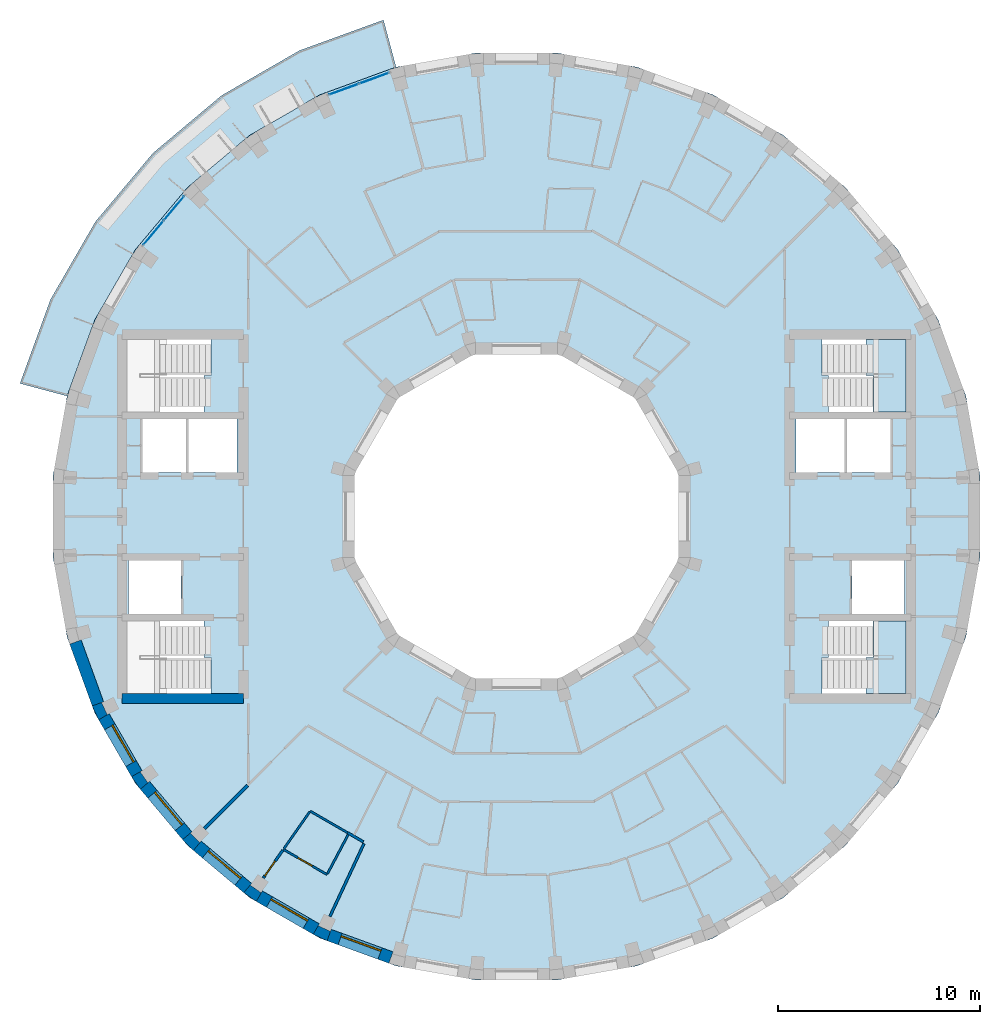
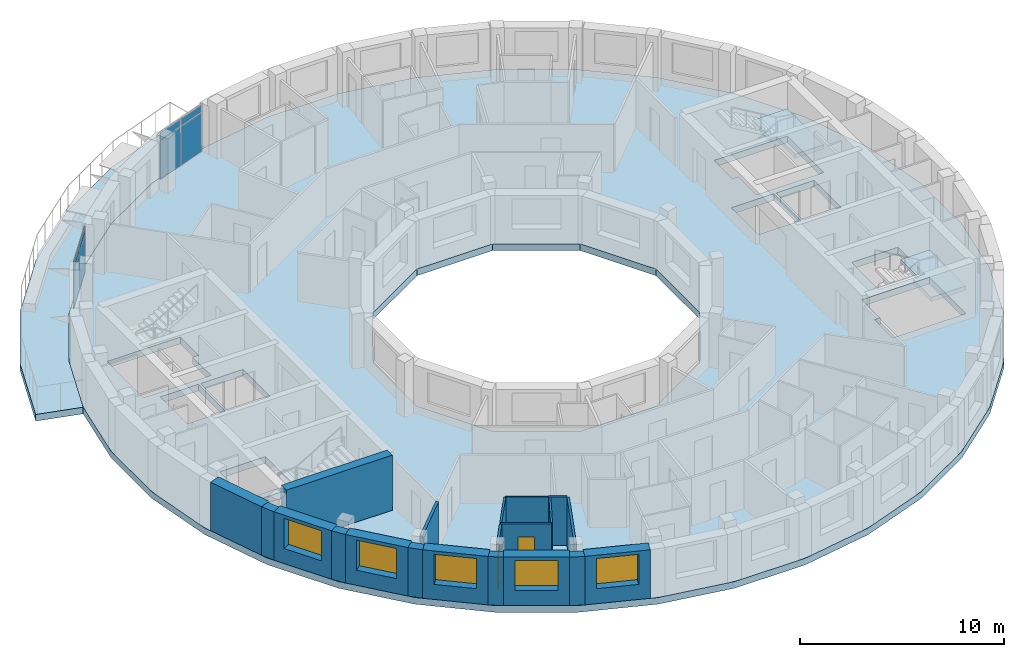
# One storey, part 3 of 12: 20 walls, 8 plates, 5 windows, 4 slabs, 2 doors, 7 openings, 4 elements without a shape of their own.
"""IFC4 building model written with IfcOpenShell, lengths in metres."""

import ifcopenshell
import ifcopenshell.guid

model = None  # the IFC model being written
_history = None  # IfcOwnerHistory: only IFC2X3 demands one
_inside = {}  # id of a spatial element -> (the spatial element, [elements in it])
_under = {}  # id of a project, library or spatial element -> (it, [spatial elements below it])
_declared = {}  # id of a project -> (the project, [libraries it declares])
_typed = {}  # id of a type object -> (the type object, [elements of that type])
_made_of = {}  # id of a material, layer set ... -> (it, [elements and type objects made of it])


def new_model(schema):
    """Start an empty IFC model of exactly this schema.

    Asked for "IFC4X3", IfcOpenShell would pick the latest addendum, in which some entities
    have other attributes; the version numbers below select the first issue.
    IFC2X3 requires an IfcOwnerHistory on every rooted entity: one is made here for all.
    """
    global model, _history
    if schema == "IFC4X3":
        model = ifcopenshell.file(schema_version=(4, 3, 0, 0))
    else:
        model = ifcopenshell.file(schema=schema)
    _inside.clear()
    _under.clear()
    _declared.clear()
    _typed.clear()
    _made_of.clear()
    _history = None
    if model.schema == "IFC2X3":
        org = make("IfcOrganization", Name="unknown")
        user = make(
            "IfcPersonAndOrganization",
            ThePerson=make("IfcPerson", FamilyName="unknown"),
            TheOrganization=org,
        )
        app = make(
            "IfcApplication",
            ApplicationDeveloper=org,
            Version="unknown",
            ApplicationFullName="unknown",
            ApplicationIdentifier="unknown",
        )
        _history = make(
            "IfcOwnerHistory",
            OwningUser=user,
            OwningApplication=app,
            ChangeAction="ADDED",
            CreationDate=0,
        )
    return model


def make(cls, **values):
    """One entity of the class cls with the attributes given. An attribute that is None is left unset."""
    return model.create_entity(
        cls, **{name: value for name, value in values.items() if value is not None}
    )


def rooted(cls, **values):
    """An entity with a GlobalId (a new one), such as an element, a storey or a relation."""
    return make(cls, GlobalId=ifcopenshell.guid.new(), OwnerHistory=_history, **values)


def si_unit(unit_type, name, prefix=None):
    """IfcSIUnit, for example si_unit("LENGTHUNIT", "METRE", prefix="MILLI")."""
    return make("IfcSIUnit", UnitType=unit_type, Prefix=prefix, Name=name)


def assignment(units):
    """IfcUnitAssignment: the units of a project."""
    return None if units is None else make("IfcUnitAssignment", Units=units)


def point(xyz):
    """IfcCartesianPoint."""
    return None if xyz is None else make("IfcCartesianPoint", Coordinates=xyz)


def direction(xyz):
    """IfcDirection."""
    return None if xyz is None else make("IfcDirection", DirectionRatios=xyz)


def frame(location, z_axis=None, x_axis=None):
    """IfcAxis2Placement3D, a coordinate frame: its origin and axes. An axis left out is left unset."""
    return make(
        "IfcAxis2Placement3D",
        Location=point(location),
        Axis=direction(z_axis),
        RefDirection=direction(x_axis),
    )


def frame_2d(location, x_axis=None):
    """IfcAxis2Placement2D, a coordinate frame in the plane: its origin and x axis."""
    return make(
        "IfcAxis2Placement2D", Location=point(location), RefDirection=direction(x_axis)
    )


def origin():
    """The frame at (0, 0, 0) with its axes left unset."""
    return frame((0.0, 0.0, 0.0))


def origin_2d():
    """The frame at (0, 0) in the plane with its x axis left unset."""
    return frame_2d((0.0, 0.0))


def place(relative_to, where):
    """IfcLocalPlacement: puts the frame where relative to a parent placement (None: the world)."""
    return make(
        "IfcLocalPlacement", PlacementRelTo=relative_to, RelativePlacement=where
    )


def context(
    kind, dimensions, precision=None, world=None, true_north=None, identifier=None
):
    """IfcGeometricRepresentationContext, for example the 3D "Model" context."""
    return make(
        "IfcGeometricRepresentationContext",
        ContextIdentifier=identifier,
        ContextType=kind,
        CoordinateSpaceDimension=dimensions,
        Precision=precision,
        WorldCoordinateSystem=world,
        TrueNorth=true_north,
    )


def subcontext(parent, identifier, kind, view, scale=None):
    """IfcGeometricRepresentationSubContext, for example "Body" below "Model"."""
    return make(
        "IfcGeometricRepresentationSubContext",
        ContextIdentifier=identifier,
        ContextType=kind,
        ParentContext=parent,
        TargetScale=scale,
        TargetView=view,
    )


def project(units=None, contexts=None):
    """IfcProject with its units and contexts."""
    return rooted(
        "IfcProject",
        Name="project",
        RepresentationContexts=contexts,
        UnitsInContext=assignment(units),
    )


def spatial(cls, under=None, at=None, **own):
    """A site, building, storey or space (cls), placed at a placement, below another one or the project."""
    s = rooted(cls, ObjectPlacement=at, **own)
    if under is not None:
        _under.setdefault(under.id(), (under, []))[1].append(s)
    return s


def polyline(points):
    """IfcPolyline through the points."""
    return make("IfcPolyline", Points=[point(p) for p in points])


def profile(cls, at=None, kind="AREA", **sizes):
    """A parametric profile (cls). Its sizes go by their IFC names, for example OverallWidth=200.0."""
    return make(cls, ProfileType=kind, Position=at, **sizes)


def rectangle(**sizes):
    """IfcRectangleProfileDef."""
    return profile("IfcRectangleProfileDef", **sizes)


def outline(outer, holes=None, kind="AREA"):
    """IfcArbitraryClosedProfileDef: a profile drawn as a closed curve; with holes, ...WithVoids."""
    if holes is None:
        return make("IfcArbitraryClosedProfileDef", ProfileType=kind, OuterCurve=outer)
    return make(
        "IfcArbitraryProfileDefWithVoids",
        ProfileType=kind,
        OuterCurve=outer,
        InnerCurves=holes,
    )


def extrude(swept, where, along, depth):
    """IfcExtrudedAreaSolid: the profile swept, set in the frame where, extruded along a direction by depth."""
    return make(
        "IfcExtrudedAreaSolid",
        SweptArea=swept,
        Position=where,
        ExtrudedDirection=direction(along),
        Depth=depth,
    )


def shape(context_of_items, identifier, shape_type, items):
    """IfcShapeRepresentation: the items that make up one representation, for example the "Body"."""
    return make(
        "IfcShapeRepresentation",
        ContextOfItems=context_of_items,
        RepresentationIdentifier=identifier,
        RepresentationType=shape_type,
        Items=items,
    )


def material(Name=None, Category=None):
    """IfcMaterial."""
    return make("IfcMaterial", Name=Name, Category=Category)


def layer(
    of_material, thickness, ventilated=None, Name=None, Category=None, Priority=None
):
    """IfcMaterialLayer: one layer of a wall or slab, of a material (None: an air gap)."""
    return make(
        "IfcMaterialLayer",
        Material=of_material,
        LayerThickness=thickness,
        IsVentilated=ventilated,
        Name=Name,
        Category=Category,
        Priority=Priority,
    )


def layer_set(layers, Name=None):
    """IfcMaterialLayerSet."""
    return make("IfcMaterialLayerSet", MaterialLayers=layers, LayerSetName=Name)


def made_of(thing, what):
    """Note that an element or type object is made of a material, layer set ...; save() writes the relation."""
    if what is not None:
        _made_of.setdefault(what.id(), (what, []))[1].append(thing)
    return thing


def type_object(cls, material=None, **own):
    """A type object (cls), such as IfcWallType, which elements share."""
    return made_of(rooted(cls, **own), material)


def element(
    cls,
    number,
    at=None,
    inside=None,
    cuts=None,
    type_object=None,
    material=None,
    context=None,
    identifier="Body",
    shape_type=None,
    held_by="IfcProductDefinitionShape",
    body=None,
    shapes=None,
    **own,
):
    """One element of the class cls, such as IfcWall. Its Tag is "e" and its number.

    at: its placement. inside: the storey or other place that contains it. cuts: it is an
    opening in that element (IfcRelVoidsElement). A single representation is given by context,
    identifier, shape_type and body (its items); several are given by shapes. held_by: the class
    of the entity that holds the representations. save() writes the other relations.
    """
    e = rooted(cls, Tag="e%d" % number, ObjectPlacement=at, **own)
    if body is not None:
        shapes = [shape(context, identifier, shape_type, body)]
    if shapes is not None:
        e.Representation = make(held_by, Representations=shapes)
    if inside is not None:
        _inside.setdefault(inside.id(), (inside, []))[1].append(e)
    if cuts is not None:
        rooted(
            "IfcRelVoidsElement", RelatingBuildingElement=cuts, RelatedOpeningElement=e
        )
    if type_object is not None:
        _typed.setdefault(type_object.id(), (type_object, []))[1].append(e)
    return made_of(e, material)


def fill(opening, filler):
    """IfcRelFillsElement: the door or window that sits in an opening."""
    return rooted(
        "IfcRelFillsElement",
        RelatingOpeningElement=opening,
        RelatedBuildingElement=filler,
    )


def aggregate(whole, parts):
    """IfcRelAggregates: a whole, such as a stair, and the parts it consists of."""
    return rooted("IfcRelAggregates", RelatingObject=whole, RelatedObjects=parts)


def save(model, path):
    """Write the relations noted so far, then the file.

    IfcRelAggregates (storeys below a building ...), IfcRelContainedInSpatialStructure (elements
    in a storey), IfcRelDefinesByType, IfcRelAssociatesMaterial and IfcRelDeclares: one each for
    every whole, place, type object, material and project.
    """
    for whole, parts in _under.values():
        aggregate(whole, parts)
    for where, things in _inside.values():
        rooted(
            "IfcRelContainedInSpatialStructure",
            RelatedElements=things,
            RelatingStructure=where,
        )
    for kind, things in _typed.values():
        rooted("IfcRelDefinesByType", RelatedObjects=things, RelatingType=kind)
    for what, things in _made_of.values():
        rooted("IfcRelAssociatesMaterial", RelatedObjects=things, RelatingMaterial=what)
    for by, libraries in _declared.values():
        rooted("IfcRelDeclares", RelatingContext=by, RelatedDefinitions=libraries)
    model.write(path)


model = new_model("IFC4")

# Units and contexts
model_context = context("Model", 3, precision=1e-05, world=origin(), true_north=direction((0.0, 1.0)))
body_context = subcontext(model_context, "Body", "Model", "MODEL_VIEW")
ifc_project = project(units=[si_unit("LENGTHUNIT", "METRE"), si_unit("AREAUNIT", "SQUARE_METRE"), si_unit("VOLUMEUNIT", "CUBIC_METRE"), si_unit("PLANEANGLEUNIT", "RADIAN"), si_unit("MASSUNIT", "GRAM", prefix="KILO")], contexts=[model_context])

# Site, building, storey
site_placement = place(None, origin())
site = spatial("IfcSite", under=ifc_project, at=site_placement, CompositionType="ELEMENT")
building_placement = place(site_placement, origin())
building = spatial("IfcBuilding", under=site, at=building_placement, Name="Saqina Gate Tower", CompositionType="ELEMENT")
storey_placement = place(building_placement, frame((0.0, 0.0, 229.699951171875)))
storey = spatial("IfcBuildingStorey", under=building, at=storey_placement, Name="L65", CompositionType="ELEMENT", Elevation=229.699951171875)

# Curtain wall, plates
ifc_material_1 = material(Name="Aluminium glazing", Category="aluminium")
ifc_layer_1 = layer(ifc_material_1, 0.159912109375)
ifc_layer_set_1 = layer_set([ifc_layer_1], Name="CWT-4")
curtain_wall_type = type_object("IfcCurtainWallType", Name="CWT-4", PredefinedType="NOTDEFINED", material=ifc_layer_set_1)
curtain_wall_1_placement = place(storey_placement, origin())
curtain_wall_1 = element("IfcCurtainWall", 1, at=curtain_wall_1_placement, inside=storey, type_object=curtain_wall_type, Name="Terrace lounge glazing facet 11", PredefinedType="NOTDEFINED")
ifc_material_2 = material(Name="Glass", Category="glass")
ifc_layer_2 = layer(ifc_material_2, 0.028076171875)
ifc_layer_set_2 = layer_set([ifc_layer_2], Name="CWT-4P")
plate_type = type_object("IfcPlateType", Name="CWT-4P", PredefinedType="CURTAIN_PANEL", material=ifc_layer_set_2)
plate_1_placement = place(storey_placement, frame((-7.035400390625, 21.66259765625, 0.06005859375), z_axis=(0.0, 0.0, 1.0), x_axis=(-0.939697310402, -0.342007258437, 0.0)))
plate_1 = element("IfcPlate", 2, at=plate_1_placement, type_object=plate_type, Name="CW4-11 panel 1.1", PredefinedType="CURTAIN_PANEL", context=body_context, shape_type="SweptSolid", body=[
    extrude(rectangle(XDim=1.535888671875, YDim=0.028076171875, at=origin_2d()), origin(), (0.0, 0.0, 1.0), 2.31005859375),
])
plate_2_placement = place(storey_placement, frame((-7.035400390625, 21.66259765625, 2.43017578125), z_axis=(0.0, 0.0, 1.0), x_axis=(-0.939697310402, -0.342007258437, 0.0)))
plate_2 = element("IfcPlate", 3, at=plate_2_placement, type_object=plate_type, Name="CW4-11 panel 1.2", PredefinedType="CURTAIN_PANEL", context=body_context, shape_type="SweptSolid", body=[
    extrude(rectangle(XDim=1.535888671875, YDim=0.028076171875, at=origin_2d()), origin(), (0.0, 0.0, 1.0), 0.409912109375),
])
plate_3_placement = place(storey_placement, frame((-8.534912109375, 21.116943359375, 0.06005859375), z_axis=(0.0, 0.0, 1.0), x_axis=(-0.939697310402, -0.342007258437, 0.0)))
plate_3 = element("IfcPlate", 4, at=plate_3_placement, type_object=plate_type, Name="CW4-11 panel 2.1", PredefinedType="CURTAIN_PANEL", context=body_context, shape_type="SweptSolid", body=[
    extrude(rectangle(XDim=1.535888671875, YDim=0.028076171875, at=origin_2d()), origin(), (0.0, 0.0, 1.0), 2.31005859375),
])
plate_4_placement = place(storey_placement, frame((-8.534912109375, 21.116943359375, 2.43017578125), z_axis=(0.0, 0.0, 1.0), x_axis=(-0.939697310402, -0.342007258437, 0.0)))
plate_4 = element("IfcPlate", 5, at=plate_4_placement, type_object=plate_type, Name="CW4-11 panel 2.2", PredefinedType="CURTAIN_PANEL", context=body_context, shape_type="SweptSolid", body=[
    extrude(rectangle(XDim=1.535888671875, YDim=0.028076171875, at=origin_2d()), origin(), (0.0, 0.0, 1.0), 0.409912109375),
])
aggregate(curtain_wall_1, [plate_1, plate_2, plate_3, plate_4])

curtain_wall_2_placement = place(storey_placement, origin())
curtain_wall_2 = element("IfcCurtainWall", 6, at=curtain_wall_2_placement, inside=storey, type_object=curtain_wall_type, Name="Terrace lounge glazing facet 14", PredefinedType="NOTDEFINED")
plate_5_placement = place(storey_placement, frame((-16.924072265625, 15.24267578125, 0.06005859375), z_axis=(0.0, 0.0, 1.0), x_axis=(-0.642785214609, -0.766046452821, 0.0)))
plate_5 = element("IfcPlate", 7, at=plate_5_placement, type_object=plate_type, Name="CW4-14 panel 1.1", PredefinedType="CURTAIN_PANEL", context=body_context, shape_type="SweptSolid", body=[
    extrude(rectangle(XDim=1.535888671875, YDim=0.028076171875, at=origin_2d()), origin(), (0.0, 0.0, 1.0), 2.31005859375),
])
plate_6_placement = place(storey_placement, frame((-16.924072265625, 15.24267578125, 2.43017578125), z_axis=(0.0, 0.0, 1.0), x_axis=(-0.642785214609, -0.766046452821, 0.0)))
plate_6 = element("IfcPlate", 8, at=plate_6_placement, type_object=plate_type, Name="CW4-14 panel 1.2", PredefinedType="CURTAIN_PANEL", context=body_context, shape_type="SweptSolid", body=[
    extrude(rectangle(XDim=1.535888671875, YDim=0.028076171875, at=origin_2d()), origin(), (0.0, 0.0, 1.0), 0.409912109375),
])
plate_7_placement = place(storey_placement, frame((-17.949951171875, 14.020263671875, 0.06005859375), z_axis=(0.0, 0.0, 1.0), x_axis=(-0.642785214609, -0.766046452821, 0.0)))
plate_7 = element("IfcPlate", 9, at=plate_7_placement, type_object=plate_type, Name="CW4-14 panel 2.1", PredefinedType="CURTAIN_PANEL", context=body_context, shape_type="SweptSolid", body=[
    extrude(rectangle(XDim=1.535888671875, YDim=0.028076171875, at=origin_2d()), origin(), (0.0, 0.0, 1.0), 2.31005859375),
])
plate_8_placement = place(storey_placement, frame((-17.949951171875, 14.020263671875, 2.43017578125), z_axis=(0.0, 0.0, 1.0), x_axis=(-0.642785214609, -0.766046452821, 0.0)))
plate_8 = element("IfcPlate", 10, at=plate_8_placement, type_object=plate_type, Name="CW4-14 panel 2.2", PredefinedType="CURTAIN_PANEL", context=body_context, shape_type="SweptSolid", body=[
    extrude(rectangle(XDim=1.535888671875, YDim=0.028076171875, at=origin_2d()), origin(), (0.0, 0.0, 1.0), 0.409912109375),
])
aggregate(curtain_wall_2, [plate_5, plate_6, plate_7, plate_8])

# Stair, slab
ifc_material_3 = material(Name="Concrete C40/50", Category="concrete")
stair_type = type_object("IfcStairType", Name="EXIT STAIR", PredefinedType="HALF_TURN_STAIR", material=ifc_material_3)
stair_1_placement = place(storey_placement, origin())
stair_1 = element("IfcStair", 11, at=stair_1_placement, inside=storey, type_object=stair_type, Name="EXIT STAIR 1", PredefinedType="HALF_TURN_STAIR")
ifc_material_4 = material(Name="Concrete C40/50", Category="concrete")
ifc_layer_3 = layer(ifc_material_4, 0.25)
ifc_layer_set_3 = layer_set([ifc_layer_3], Name="Concrete C40/50")
slab_type_1 = type_object("IfcSlabType", Name="EXIT STAIR LANDING", PredefinedType="LANDING", material=ifc_layer_set_3)
slab_1_placement = place(storey_placement, frame((0.0, 0.0, 1.400146484375)))
slab_1 = element("IfcSlab", 12, at=slab_1_placement, type_object=slab_type_1, Name="EXIT STAIR 1 LANDING 1", PredefinedType="LANDING", context=body_context, shape_type="SweptSolid", body=[
    extrude(outline(polyline([(19.25, 8.75), (19.25, 5.175048828125), (17.614990234375, 5.175048828125), (17.614990234375, 6.96240234375), (17.284423828125, 6.96240234375), (17.284423828125, 8.75), (17.614990234375, 8.75), (17.6201171875, 8.75), (19.25, 8.75)])), origin(), (0.0, 0.0, 1.0), 0.25),
])
aggregate(stair_1, [slab_1])

stair_2_placement = place(storey_placement, origin())
stair_2 = element("IfcStair", 13, at=stair_2_placement, inside=storey, type_object=stair_type, Name="EXIT STAIR 2", PredefinedType="HALF_TURN_STAIR")
slab_2_placement = place(storey_placement, frame((0.0, 0.0, 1.400146484375)))
slab_2 = element("IfcSlab", 14, at=slab_2_placement, type_object=slab_type_1, Name="EXIT STAIR 2 LANDING 1", PredefinedType="LANDING", context=body_context, shape_type="SweptSolid", body=[
    extrude(outline(polyline([(17.284423828125, -8.75), (17.284423828125, -6.96240234375), (17.614990234375, -6.96240234375), (17.614990234375, -5.175048828125), (19.25, -5.175048828125), (19.25, -8.75), (17.6201171875, -8.75), (17.614990234375, -8.75), (17.284423828125, -8.75)])), origin(), (0.0, 0.0, 1.0), 0.25),
])
aggregate(stair_2, [slab_2])

# Slabs
ifc_material_5 = material(Name="Concrete C40/50", Category="concrete")
ifc_layer_4 = layer(ifc_material_5, 0.39990234375)
ifc_layer_set_4 = layer_set([ifc_layer_4], Name="Concrete C40/50")
slab_type_2 = type_object("IfcSlabType", Name="STR-POST-TENSIONED FLAT PLATE FLOOR-400", PredefinedType="FLOOR", material=ifc_layer_set_4)
slab_3_placement = place(storey_placement, frame((0.0, 0.0, -0.39990234375)))
element("IfcSlab", 15, at=slab_3_placement, inside=storey, type_object=slab_type_2, Name="L65-SLB01", PredefinedType="FLOOR", context=body_context, shape_type="SweptSolid", body=[
    extrude(outline(polyline([(22.21630859375, -5.952880859375), (22.91259765625, -2.004638671875), (22.91259765625, 2.004638671875), (22.21630859375, 5.952880859375), (20.844970703125, 9.72021484375), (18.840576171875, 13.192138671875), (16.263427734375, 16.263427734375), (13.192138671875, 18.840576171875), (9.72021484375, 20.844970703125), (5.952880859375, 22.21630859375), (2.004638671875, 22.91259765625), (-2.004638671875, 22.91259765625), (-5.952880859375, 22.21630859375), (-9.72021484375, 20.844970703125), (-13.192138671875, 18.840576171875), (-16.263427734375, 16.263427734375), (-18.840576171875, 13.192138671875), (-20.844970703125, 9.72021484375), (-22.21630859375, 5.952880859375), (-22.91259765625, 2.004638671875), (-22.91259765625, -2.004638671875), (-22.21630859375, -5.952880859375), (-20.844970703125, -9.72021484375), (-18.840576171875, -13.192138671875), (-16.263427734375, -16.263427734375), (-13.192138671875, -18.840576171875), (-9.72021484375, -20.844970703125), (-5.952880859375, -22.21630859375), (-2.004638671875, -22.91259765625), (2.004638671875, -22.91259765625), (5.952880859375, -22.21630859375), (9.72021484375, -20.844970703125), (13.192138671875, -18.840576171875), (16.263427734375, -16.263427734375), (18.840576171875, -13.192138671875), (20.844970703125, -9.72021484375), (22.21630859375, -5.952880859375)]), holes=[polyline([(2.1435546875, 8.0), (5.8564453125, 5.8564453125), (8.0, 2.1435546875), (8.0, -2.1435546875), (5.8564453125, -5.8564453125), (2.1435546875, -8.0), (-2.1435546875, -8.0), (-5.8564453125, -5.8564453125), (-8.0, -2.1435546875), (-8.0, 2.1435546875), (-5.8564453125, 5.8564453125), (-2.1435546875, 8.0), (2.1435546875, 8.0)]), polyline([(-15.10498046875, -8.75), (-19.25, -8.75), (-19.25, -6.96240234375), (-19.25, -5.175048828125), (-15.435546875, -5.175048828125), (-15.435546875, -6.96240234375), (-15.10498046875, -6.96240234375), (-15.10498046875, -8.75)]), polyline([(-16.590087890625, -2.175048828125), (-16.590087890625, -4.824951171875), (-19.18994140625, -4.824951171875), (-19.18994140625, -2.175048828125), (-16.590087890625, -2.175048828125)]), polyline([(-16.340087890625, 4.824951171875), (-16.340087890625, 2.175048828125), (-18.5, 2.175048828125), (-18.5, 4.824951171875), (-16.340087890625, 4.824951171875)]), polyline([(-13.81005859375, 4.824951171875), (-13.81005859375, 2.175048828125), (-16.219970703125, 2.175048828125), (-16.219970703125, 4.824951171875), (-13.81005859375, 4.824951171875)]), polyline([(-19.25, 6.96240234375), (-19.25, 8.75), (-15.10498046875, 8.75), (-15.10498046875, 6.96240234375), (-15.435546875, 6.96240234375), (-15.435546875, 5.175048828125), (-19.25, 5.175048828125), (-19.25, 6.96240234375)]), polyline([(15.10498046875, -8.75), (15.10498046875, -6.96240234375), (15.435546875, -6.96240234375), (15.435546875, -5.175048828125), (19.25, -5.175048828125), (19.25, -6.96240234375), (19.25, -8.75), (15.10498046875, -8.75)]), polyline([(19.18994140625, -2.175048828125), (19.18994140625, -4.824951171875), (16.590087890625, -4.824951171875), (16.590087890625, -2.175048828125), (19.18994140625, -2.175048828125)]), polyline([(16.219970703125, 4.824951171875), (16.219970703125, 2.175048828125), (13.81005859375, 2.175048828125), (13.81005859375, 4.824951171875), (16.219970703125, 4.824951171875)]), polyline([(18.5, 4.824951171875), (18.5, 2.175048828125), (16.340087890625, 2.175048828125), (16.340087890625, 4.824951171875), (18.5, 4.824951171875)]), polyline([(15.435546875, 6.96240234375), (15.10498046875, 6.96240234375), (15.10498046875, 8.75), (19.25, 8.75), (19.25, 6.96240234375), (19.25, 5.175048828125), (15.435546875, 5.175048828125), (15.435546875, 6.96240234375)])]), origin(), (0.0, 0.0, 1.0), 0.39990234375),
])
ifc_material_6 = material(Name="Concrete C40/50", Category="concrete")
ifc_layer_5 = layer(ifc_material_6, 0.39990234375)
ifc_layer_set_5 = layer_set([ifc_layer_5], Name="Concrete C40/50")
slab_type_3 = type_object("IfcSlabType", Name="STR-POST-TENSIONED FLAT PLATE TERRACE-400", PredefinedType="FLOOR", material=ifc_layer_set_5)
slab_4_placement = place(storey_placement, frame((0.0, 0.0, -0.39990234375)))
element("IfcSlab", 16, at=slab_4_placement, inside=storey, type_object=slab_type_3, Name="L65-TRS01", PredefinedType="FLOOR", context=body_context, shape_type="SweptSolid", body=[
    extrude(outline(polyline([(-5.952880859375, 22.21630859375), (-9.72021484375, 20.844970703125), (-13.192138671875, 18.840576171875), (-16.263427734375, 16.263427734375), (-18.840576171875, 13.192138671875), (-20.844970703125, 9.72021484375), (-22.21630859375, 5.952880859375), (-24.54345703125, 6.576416015625), (-23.028564453125, 10.73828125), (-20.81396484375, 14.57421875), (-17.967041015625, 17.967041015625), (-14.57421875, 20.81396484375), (-10.73828125, 23.028564453125), (-6.576416015625, 24.54345703125), (-5.952880859375, 22.21630859375)])), origin(), (0.0, 0.0, 1.0), 0.39990234375),
])

# Walls
ifc_material_7 = material(Name="Brick masonry (buff)", Category="masonry")
wall_type_1 = type_object("IfcWallType", Name="BRICK PIER COPING BUFF", PredefinedType="SOLIDWALL", material=ifc_material_7)
wall_1_placement = place(storey_placement, origin())
element("IfcWall", 17, at=wall_1_placement, inside=storey, type_object=wall_type_1, Name="Pier cap L65 column 21", PredefinedType="SOLIDWALL", context=body_context, shape_type="SweptSolid", body=[
    extrude(outline(polyline([(-20.974609375, -9.3642578125), (-20.65576171875, -10.048095703125), (-20.135986328125, -9.748291015625), (-20.23193359375, -9.79296875), (-20.506591796875, -9.203857421875), (-20.410888671875, -9.1591796875), (-20.974609375, -9.3642578125)])), origin(), (0.0, 0.0, 1.0), 2.900146484375),
])
wall_2_placement = place(storey_placement, origin())
element("IfcWall", 18, at=wall_2_placement, inside=storey, type_object=wall_type_1, Name="Pier cap L65 column 22", PredefinedType="SOLIDWALL", context=body_context, shape_type="SweptSolid", body=[
    extrude(outline(polyline([(-19.02978515625, -12.8642578125), (-18.59716796875, -13.482421875), (-18.137451171875, -13.0966796875), (-18.22412109375, -13.157470703125), (-18.596923828125, -12.625), (-18.51025390625, -12.564208984375), (-19.02978515625, -12.8642578125)])), origin(), (0.0, 0.0, 1.0), 2.900146484375),
])
wall_3_placement = place(storey_placement, origin())
element("IfcWall", 19, at=wall_3_placement, inside=storey, type_object=wall_type_1, Name="Pier cap L65 column 23", PredefinedType="SOLIDWALL", context=body_context, shape_type="SweptSolid", body=[
    extrude(outline(polyline([(-15.973388671875, -16.5068359375), (-15.587646484375, -16.04736328125), (-15.662353515625, -16.1220703125), (-16.1220703125, -15.662353515625), (-16.04736328125, -15.587646484375), (-16.5068359375, -15.973388671875), (-15.973388671875, -16.5068359375)])), origin(), (0.0, 0.0, 1.0), 2.900146484375),
])
wall_4_placement = place(storey_placement, origin())
element("IfcWall", 20, at=wall_4_placement, inside=storey, type_object=wall_type_1, Name="Pier cap L65 column 24", PredefinedType="SOLIDWALL", context=body_context, shape_type="SweptSolid", body=[
    extrude(outline(polyline([(-12.8642578125, -19.02978515625), (-12.564208984375, -18.51025390625), (-12.625, -18.596923828125), (-13.157470703125, -18.22412109375), (-13.0966796875, -18.137451171875), (-13.482421875, -18.59716796875), (-12.8642578125, -19.02978515625)])), origin(), (0.0, 0.0, 1.0), 2.900146484375),
])
wall_5_placement = place(storey_placement, origin())
element("IfcWall", 21, at=wall_5_placement, inside=storey, type_object=wall_type_1, Name="Pier cap L65 column 25", PredefinedType="SOLIDWALL", context=body_context, shape_type="SweptSolid", body=[
    extrude(outline(polyline([(-10.048095703125, -20.65576171875), (-9.3642578125, -20.974609375), (-9.1591796875, -20.410888671875), (-9.203857421875, -20.506591796875), (-9.79296875, -20.23193359375), (-9.748291015625, -20.135986328125), (-10.048095703125, -20.65576171875)])), origin(), (0.0, 0.0, 1.0), 2.900146484375),
])

# Wall, opening, window
ifc_material_8 = material(Name="Brick masonry (buff)", Category="masonry")
ifc_layer_6 = layer(ifc_material_8, 0.60009765625)
ifc_layer_set_6 = layer_set([ifc_layer_6], Name="FW-BRICK-BUFF")
wall_type_2 = type_object("IfcWallType", Name="FW-BRICK-BUFF", PredefinedType="SOLIDWALL", material=ifc_layer_set_6)
wall_6_placement = place(storey_placement, frame((-20.39599609375, -9.898193359375, 0.0), z_axis=(0.0, 0.0, 1.0), x_axis=(0.500014901547, -0.866016800201, 0.0)))
wall_6 = element("IfcWall", 22, at=wall_6_placement, inside=storey, type_object=wall_type_2, Name="Facade wall L65 facet 21", PredefinedType="SOLIDWALL", context=body_context, shape_type="SweptSolid", body=[
    extrude(rectangle(XDim=3.251953125, YDim=0.60009765625, at=frame_2d((1.6259765625, 0.0))), origin(), (0.0, 0.0, 1.0), 2.900146484375),
])
opening_1_placement = place(wall_6_placement, frame((0.57568359375, 0.0, 0.89990234375)))
opening_1 = element("IfcOpeningElement", 23, at=opening_1_placement, cuts=wall_6, Name="Opening G19-W10", PredefinedType="OPENING", context=body_context, shape_type="SweptSolid", body=[
    extrude(rectangle(XDim=2.10009765625, YDim=1.800048828125, at=frame_2d((1.050048828125, 0.89990234375))), frame((0.0, 0.31201171875, 0.0), z_axis=(0.0, -1.0, 0.0), x_axis=(1.0, 0.0, 0.0)), (0.0, 0.0, 1.0), 0.6240234375),
])
ifc_material_9 = material(Name="Aluminium glazing", Category="aluminium")
window_type = type_object("IfcWindowType", Name="WN-D", PartitioningType="SINGLE_PANEL", PredefinedType="WINDOW", material=ifc_material_9)
window_1_placement = place(opening_1_placement, origin())
window_1 = element("IfcWindow", 24, at=window_1_placement, inside=storey, type_object=window_type, Name="Window L65 facet 21", OverallHeight=1.800048828125, OverallWidth=2.10009765625, PartitioningType="SINGLE_PANEL", PredefinedType="WINDOW", context=body_context, shape_type="SweptSolid", body=[
    extrude(rectangle(XDim=2.10009765625, YDim=1.800048828125, at=frame_2d((1.050048828125, 0.89990234375))), frame((0.0, 0.179931640625, 0.0), z_axis=(0.0, -1.0, 0.0), x_axis=(1.0, 0.0, 0.0)), (0.0, 0.0, 1.0), 0.06005859375),
])
fill(opening_1, window_1)

wall_7_placement = place(storey_placement, frame((-18.3671875, -13.28955078125, 0.0), z_axis=(0.0, 0.0, 1.0), x_axis=(0.64277291405, -0.766056773982, 0.0)))
wall_7 = element("IfcWall", 25, at=wall_7_placement, inside=storey, type_object=wall_type_2, Name="Facade wall L65 facet 22", PredefinedType="SOLIDWALL", context=body_context, shape_type="SweptSolid", body=[
    extrude(rectangle(XDim=3.251708984375, YDim=0.60009765625, at=frame_2d((1.6259765625, 0.0))), origin(), (0.0, 0.0, 1.0), 2.900146484375),
])
opening_2_placement = place(wall_7_placement, frame((0.57568359375, 0.0, 0.89990234375)))
opening_2 = element("IfcOpeningElement", 26, at=opening_2_placement, cuts=wall_7, Name="Opening G19-W11", PredefinedType="OPENING", context=body_context, shape_type="SweptSolid", body=[
    extrude(rectangle(XDim=2.10009765625, YDim=1.800048828125, at=frame_2d((1.050048828125, 0.89990234375))), frame((0.0, 0.31201171875, 0.0), z_axis=(0.0, -1.0, 0.0), x_axis=(1.0, 0.0, 0.0)), (0.0, 0.0, 1.0), 0.6240234375),
])
window_2_placement = place(opening_2_placement, origin())
window_2 = element("IfcWindow", 27, at=window_2_placement, inside=storey, type_object=window_type, Name="Window L65 facet 22", OverallHeight=1.800048828125, OverallWidth=2.10009765625, PartitioningType="SINGLE_PANEL", PredefinedType="WINDOW", context=body_context, shape_type="SweptSolid", body=[
    extrude(rectangle(XDim=2.10009765625, YDim=1.800048828125, at=frame_2d((1.050048828125, 0.89990234375))), frame((0.0, 0.179931640625, 0.0), z_axis=(0.0, -1.0, 0.0), x_axis=(1.0, 0.0, 0.0)), (0.0, 0.0, 1.0), 0.06005859375),
])
fill(opening_2, window_2)

wall_8_placement = place(storey_placement, frame((-15.780517578125, -16.277099609375, 0.0), z_axis=(0.0, 0.0, 1.0), x_axis=(0.766056773982, -0.64277291405, 0.0)))
wall_8 = element("IfcWall", 28, at=wall_8_placement, inside=storey, type_object=wall_type_2, Name="Facade wall L65 facet 23", PredefinedType="SOLIDWALL", context=body_context, shape_type="SweptSolid", body=[
    extrude(rectangle(XDim=3.251708984375, YDim=0.60009765625, at=frame_2d((1.6259765625, 0.0))), origin(), (0.0, 0.0, 1.0), 2.900146484375),
])
opening_3_placement = place(wall_8_placement, frame((0.57568359375, 0.0, 0.89990234375)))
opening_3 = element("IfcOpeningElement", 29, at=opening_3_placement, cuts=wall_8, Name="Opening G19-W12", PredefinedType="OPENING", context=body_context, shape_type="SweptSolid", body=[
    extrude(rectangle(XDim=2.10009765625, YDim=1.800048828125, at=frame_2d((1.050048828125, 0.89990234375))), frame((0.0, 0.31201171875, 0.0), z_axis=(0.0, -1.0, 0.0), x_axis=(1.0, 0.0, 0.0)), (0.0, 0.0, 1.0), 0.6240234375),
])
window_3_placement = place(opening_3_placement, origin())
window_3 = element("IfcWindow", 30, at=window_3_placement, inside=storey, type_object=window_type, Name="Window L65 facet 23", OverallHeight=1.800048828125, OverallWidth=2.10009765625, PartitioningType="SINGLE_PANEL", PredefinedType="WINDOW", context=body_context, shape_type="SweptSolid", body=[
    extrude(rectangle(XDim=2.10009765625, YDim=1.800048828125, at=frame_2d((1.050048828125, 0.89990234375))), frame((0.0, 0.179931640625, 0.0), z_axis=(0.0, -1.0, 0.0), x_axis=(1.0, 0.0, 0.0)), (0.0, 0.0, 1.0), 0.06005859375),
])
fill(opening_3, window_3)

wall_9_placement = place(storey_placement, frame((-12.71435546875, -18.77001953125, 0.0), z_axis=(0.0, 0.0, 1.0), x_axis=(0.866016800201, -0.500014901547, 0.0)))
wall_9 = element("IfcWall", 31, at=wall_9_placement, inside=storey, type_object=wall_type_2, Name="Facade wall L65 facet 24", PredefinedType="SOLIDWALL", context=body_context, shape_type="SweptSolid", body=[
    extrude(rectangle(XDim=3.251953125, YDim=0.60009765625, at=frame_2d((1.6259765625, 0.0))), origin(), (0.0, 0.0, 1.0), 2.900146484375),
])
opening_4_placement = place(wall_9_placement, frame((0.57568359375, 0.0, 0.89990234375)))
opening_4 = element("IfcOpeningElement", 32, at=opening_4_placement, cuts=wall_9, Name="Opening G19-W13", PredefinedType="OPENING", context=body_context, shape_type="SweptSolid", body=[
    extrude(rectangle(XDim=2.10009765625, YDim=1.800048828125, at=frame_2d((1.050048828125, 0.89990234375))), frame((0.0, 0.31201171875, 0.0), z_axis=(0.0, -1.0, 0.0), x_axis=(1.0, 0.0, 0.0)), (0.0, 0.0, 1.0), 0.6240234375),
])
window_4_placement = place(opening_4_placement, origin())
window_4 = element("IfcWindow", 33, at=window_4_placement, inside=storey, type_object=window_type, Name="Window L65 facet 24", OverallHeight=1.800048828125, OverallWidth=2.10009765625, PartitioningType="SINGLE_PANEL", PredefinedType="WINDOW", context=body_context, shape_type="SweptSolid", body=[
    extrude(rectangle(XDim=2.10009765625, YDim=1.800048828125, at=frame_2d((1.050048828125, 0.89990234375))), frame((0.0, 0.179931640625, 0.0), z_axis=(0.0, -1.0, 0.0), x_axis=(1.0, 0.0, 0.0)), (0.0, 0.0, 1.0), 0.06005859375),
])
fill(opening_4, window_4)

wall_10_placement = place(storey_placement, frame((-9.26171875, -20.692626953125, 0.0), z_axis=(0.0, 0.0, 1.0), x_axis=(0.939679383794, -0.342056509473, 0.0)))
wall_10 = element("IfcWall", 34, at=wall_10_placement, inside=storey, type_object=wall_type_2, Name="Facade wall L65 facet 25", PredefinedType="SOLIDWALL", context=body_context, shape_type="SweptSolid", body=[
    extrude(rectangle(XDim=3.251708984375, YDim=0.60009765625, at=frame_2d((1.6259765625, 0.0))), origin(), (0.0, 0.0, 1.0), 2.900146484375),
])
opening_5_placement = place(wall_10_placement, frame((0.57568359375, 0.0, 0.89990234375)))
opening_5 = element("IfcOpeningElement", 35, at=opening_5_placement, cuts=wall_10, Name="Opening G19-W14", PredefinedType="OPENING", context=body_context, shape_type="SweptSolid", body=[
    extrude(rectangle(XDim=2.10009765625, YDim=1.800048828125, at=frame_2d((1.050048828125, 0.89990234375))), frame((0.0, 0.31201171875, 0.0), z_axis=(0.0, -1.0, 0.0), x_axis=(1.0, 0.0, 0.0)), (0.0, 0.0, 1.0), 0.6240234375),
])
window_5_placement = place(opening_5_placement, origin())
window_5 = element("IfcWindow", 36, at=window_5_placement, inside=storey, type_object=window_type, Name="Window L65 facet 25", OverallHeight=1.800048828125, OverallWidth=2.10009765625, PartitioningType="SINGLE_PANEL", PredefinedType="WINDOW", context=body_context, shape_type="SweptSolid", body=[
    extrude(rectangle(XDim=2.10009765625, YDim=1.800048828125, at=frame_2d((1.050048828125, 0.89990234375))), frame((0.0, 0.179931640625, 0.0), z_axis=(0.0, -1.0, 0.0), x_axis=(1.0, 0.0, 0.0)), (0.0, 0.0, 1.0), 0.06005859375),
])
fill(opening_5, window_5)

# Wall
ifc_material_10 = material(Name="Glazed ceramic tile", Category="ceramic")
ifc_layer_7 = layer(ifc_material_10, 0.60009765625)
ifc_layer_set_7 = layer_set([ifc_layer_7], Name="FW-TILE")
wall_type_3 = type_object("IfcWallType", Name="FW-TILE", PredefinedType="SOLIDWALL", material=ifc_layer_set_7)
wall_11_placement = place(storey_placement, frame((-21.804931640625, -6.2060546875, 0.0), z_axis=(0.0, 0.0, 1.0), x_axis=(0.342056509473, -0.939679383794, 0.0)))
element("IfcWall", 37, at=wall_11_placement, inside=storey, type_object=wall_type_3, Name="Facade wall L65 facet 20", PredefinedType="SOLIDWALL", context=body_context, shape_type="SweptSolid", body=[
    extrude(rectangle(XDim=3.251708984375, YDim=0.60009765625, at=frame_2d((1.6259765625, 0.0))), origin(), (0.0, 0.0, 1.0), 2.900146484375),
])

# Wall, opening, door
ifc_material_11 = material(Name="Gypsum board on steel studs, 100 mm", Category="steel")
ifc_layer_8 = layer(ifc_material_11, 0.10009765625)
ifc_layer_set_8 = layer_set([ifc_layer_8], Name="PARTITION 100")
wall_type_4 = type_object("IfcWallType", Name="PARTITION 100", PredefinedType="PARTITIONING", material=ifc_layer_set_8)
wall_12_placement = place(storey_placement, frame((-11.52294921875, -16.4560546875, 0.0), z_axis=(0.0, 0.0, 1.0), x_axis=(0.866105605004, -0.499861061677, 0.0)))
wall_12 = element("IfcWall", 38, at=wall_12_placement, inside=storey, type_object=wall_type_4, Name="PARTITION PW3-13", PredefinedType="PARTITIONING", context=body_context, shape_type="SweptSolid", body=[
    extrude(rectangle(XDim=2.490478515625, YDim=0.10009765625, at=frame_2d((1.2451171875, 0.0))), origin(), (0.0, 0.0, 1.0), 2.900146484375),
])
opening_6_placement = place(wall_12_placement, frame((0.84521484375, 0.0, 0.0)))
opening_6 = element("IfcOpeningElement", 39, at=opening_6_placement, cuts=wall_12, Name="Opening G19-D25", PredefinedType="OPENING", context=body_context, shape_type="SweptSolid", body=[
    extrude(rectangle(XDim=0.800048828125, YDim=2.10009765625, at=frame_2d((0.39990234375, 1.050048828125))), frame((0.0, 0.06201171875, 0.0), z_axis=(0.0, -1.0, 0.0), x_axis=(1.0, 0.0, 0.0)), (0.0, 0.0, 1.0), 0.1240234375),
])
ifc_material_12 = material(Name="Timber door leaf, 800 mm", Category="wood")
door_type_1 = type_object("IfcDoorType", Name="DOOR 800 TIMBER", OperationType="SINGLE_SWING_LEFT", PredefinedType="DOOR", material=ifc_material_12)
door_1_placement = place(opening_6_placement, frame((0.800048828125, 0.0, 0.0), z_axis=(0.0, 0.0, 1.0), x_axis=(-1.0, 0.0, 0.0)))
door_1 = element("IfcDoor", 40, at=door_1_placement, inside=storey, type_object=door_type_1, Name="DOOR G19-D25", OperationType="SINGLE_SWING_LEFT", OverallHeight=2.10009765625, OverallWidth=0.800048828125, PredefinedType="DOOR", context=body_context, shape_type="SweptSolid", body=[
    extrude(rectangle(XDim=0.800048828125, YDim=2.10009765625, at=frame_2d((0.39990234375, 1.050048828125))), frame((0.0, 0.02490234375, 0.0), z_axis=(0.0, -1.0, 0.0), x_axis=(1.0, 0.0, 0.0)), (0.0, 0.0, 1.0), 0.050048828125),
])
fill(opening_6, door_1)

# Walls
wall_13_placement = place(storey_placement, frame((-10.1962890625, -14.56591796875, 0.0), z_axis=(0.0, 0.0, 1.0), x_axis=(0.866058298698, -0.49994302001, 0.0)))
element("IfcWall", 41, at=wall_13_placement, inside=storey, type_object=wall_type_4, Name="PARTITION PW3-14", PredefinedType="PARTITIONING", context=body_context, shape_type="SweptSolid", body=[
    extrude(rectangle(XDim=2.139892578125, YDim=0.10009765625, at=frame_2d((1.06982421875, 0.0))), origin(), (0.0, 0.0, 1.0), 2.900146484375),
])
wall_14_placement = place(storey_placement, frame((-11.494384765625, -16.4150390625, 0.0), z_axis=(0.0, 0.0, 1.0), x_axis=(0.573833166693, 0.818972219799, 0.0)))
element("IfcWall", 42, at=wall_14_placement, inside=storey, type_object=wall_type_4, Name="PARTITION PW3-40", PredefinedType="PARTITIONING", context=body_context, shape_type="SweptSolid", body=[
    extrude(rectangle(XDim=2.208984375, YDim=0.10009765625, at=frame_2d((1.1044921875, 0.0))), origin(), (0.0, 0.0, 1.0), 2.900146484375),
])
wall_15_placement = place(storey_placement, frame((-9.342529296875, -17.65673828125, 0.0), z_axis=(0.0, 0.0, 1.0), x_axis=(0.467882595904, 0.883790629307, 0.0)))
element("IfcWall", 43, at=wall_15_placement, inside=storey, type_object=wall_type_4, Name="PARTITION PW3-42", PredefinedType="PARTITIONING", context=body_context, shape_type="SweptSolid", body=[
    extrude(rectangle(XDim=2.18896484375, YDim=0.10009765625, at=frame_2d((1.094482421875, 0.0))), origin(), (0.0, 0.0, 1.0), 2.900146484375),
])
ifc_material_13 = material(Name="Gypsum board on steel studs, 125 mm, fire rated", Category="steel")
ifc_layer_9 = layer(ifc_material_13, 0.125)
ifc_layer_set_9 = layer_set([ifc_layer_9], Name="PARTITION EI 30 125")
wall_type_5 = type_object("IfcWallType", Name="PARTITION EI 30 125", PredefinedType="PARTITIONING", material=ifc_layer_set_9)
wall_16_placement = place(storey_placement, frame((-8.342529296875, -15.634765625, 0.0), z_axis=(0.0, 0.0, 1.0), x_axis=(0.86407608966, -0.503361213521, 0.0)))
element("IfcWall", 44, at=wall_16_placement, inside=storey, type_object=wall_type_5, Name="PARTITION PW1-08", PredefinedType="PARTITIONING", context=body_context, shape_type="SweptSolid", body=[
    extrude(rectangle(XDim=0.893310546875, YDim=0.125, at=frame_2d((0.44677734375, 0.0))), origin(), (0.0, 0.0, 1.0), 2.900146484375),
])

# Wall, opening, door
wall_17_placement = place(storey_placement, frame((-12.5126953125, -17.86962890625, 0.0), z_axis=(0.0, 0.0, 1.0), x_axis=(0.573618789706, 0.819122386519, 0.0)))
wall_17 = element("IfcWall", 45, at=wall_17_placement, inside=storey, type_object=wall_type_5, Name="PARTITION PW1-33", PredefinedType="PARTITIONING", context=body_context, shape_type="SweptSolid", body=[
    extrude(rectangle(XDim=1.675537109375, YDim=0.125, at=frame_2d((0.837890625, 0.0))), origin(), (0.0, 0.0, 1.0), 2.900146484375),
])
opening_7_placement = place(wall_17_placement, frame((0.122802734375, 0.0, 0.0)))
opening_7 = element("IfcOpeningElement", 46, at=opening_7_placement, cuts=wall_17, Name="Opening G19-D24", PredefinedType="OPENING", context=body_context, shape_type="SweptSolid", body=[
    extrude(rectangle(XDim=0.89990234375, YDim=2.10009765625, at=frame_2d((0.449951171875, 1.050048828125))), frame((0.0, 0.074462890625, 0.0), z_axis=(0.0, -1.0, 0.0), x_axis=(1.0, 0.0, 0.0)), (0.0, 0.0, 1.0), 0.14892578125),
])
ifc_material_14 = material(Name="Fire door leaf EI 30, 900 mm")
door_type_2 = type_object("IfcDoorType", Name="DOOR 900 EI 30", OperationType="SINGLE_SWING_LEFT", PredefinedType="DOOR", material=ifc_material_14)
door_2_placement = place(opening_7_placement, origin())
door_2 = element("IfcDoor", 47, at=door_2_placement, inside=storey, type_object=door_type_2, Name="DOOR G19-D24", OperationType="SINGLE_SWING_LEFT", OverallHeight=2.10009765625, OverallWidth=0.89990234375, PredefinedType="DOOR", context=body_context, shape_type="SweptSolid", body=[
    extrude(rectangle(XDim=0.89990234375, YDim=2.10009765625, at=frame_2d((0.449951171875, 1.050048828125))), frame((0.0, 0.02490234375, 0.0), z_axis=(0.0, -1.0, 0.0), x_axis=(1.0, 0.0, 0.0)), (0.0, 0.0, 1.0), 0.050048828125),
])
fill(opening_7, door_2)

# Walls
wall_18_placement = place(storey_placement, frame((-9.222412109375, -19.769775390625, 0.0), z_axis=(0.0, 0.0, 1.0), x_axis=(0.423534651218, 0.905879903308, 0.0)))
element("IfcWall", 48, at=wall_18_placement, inside=storey, type_object=wall_type_5, Name="PARTITION PW1-35", PredefinedType="PARTITIONING", context=body_context, shape_type="SweptSolid", body=[
    extrude(rectangle(XDim=3.972900390625, YDim=0.125, at=frame_2d((1.986328125, 0.0))), origin(), (0.0, 0.0, 1.0), 2.900146484375),
])
ifc_material_15 = material(Name="Gypsum board on steel studs, 150 mm, fire rated", Category="steel")
ifc_layer_10 = layer(ifc_material_15, 0.14990234375)
ifc_layer_set_10 = layer_set([ifc_layer_10], Name="PARTITION EI 60 150")
wall_type_6 = type_object("IfcWallType", Name="PARTITION EI 60 150", PredefinedType="PARTITIONING", material=ifc_layer_set_10)
wall_19_placement = place(storey_placement, frame((-15.425537109375, -15.425537109375, 0.0), z_axis=(0.0, 0.0, 1.0), x_axis=(0.707106781187, 0.707106781187, 0.0)))
element("IfcWall", 49, at=wall_19_placement, inside=storey, type_object=wall_type_6, Name="PARTITION PW2-07", PredefinedType="PARTITIONING", context=body_context, shape_type="SweptSolid", body=[
    extrude(rectangle(XDim=3.01416015625, YDim=0.14990234375, at=frame_2d((1.507080078125, 0.0))), origin(), (0.0, 0.0, 1.0), 2.900146484375),
])
ifc_material_16 = material(Name="Concrete C60/75", Category="concrete")
ifc_layer_11 = layer(ifc_material_16, 0.5)
ifc_layer_set_11 = layer_set([ifc_layer_11], Name="Concrete C60/75")
wall_type_7 = type_object("IfcWallType", Name="STR-CORE WALL-D-O", PredefinedType="SHEAR", material=ifc_layer_set_11)
wall_20_placement = place(storey_placement, frame((-13.5, -9.0, 0.0), z_axis=(0.0, 0.0, 1.0), x_axis=(-1.0, 0.0, 0.0)))
element("IfcWall", 50, at=wall_20_placement, inside=storey, type_object=wall_type_7, Name="CORE WALL L65 W-SE", PredefinedType="SHEAR", context=body_context, shape_type="SweptSolid", body=[
    extrude(rectangle(XDim=6.0, YDim=0.5, at=frame_2d((3.0, 0.0))), origin(), (0.0, 0.0, 1.0), 3.300048828125),
])

save(model, "model.ifc")
